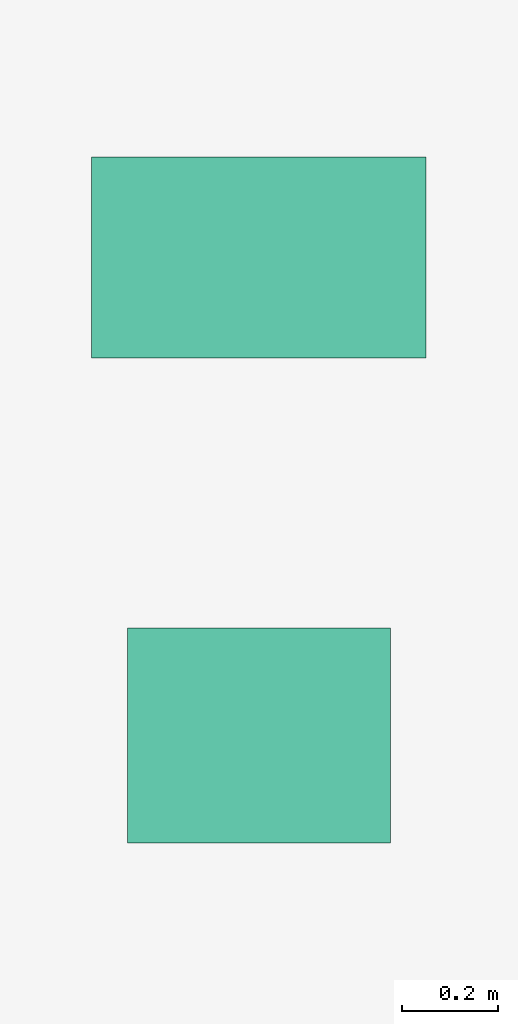
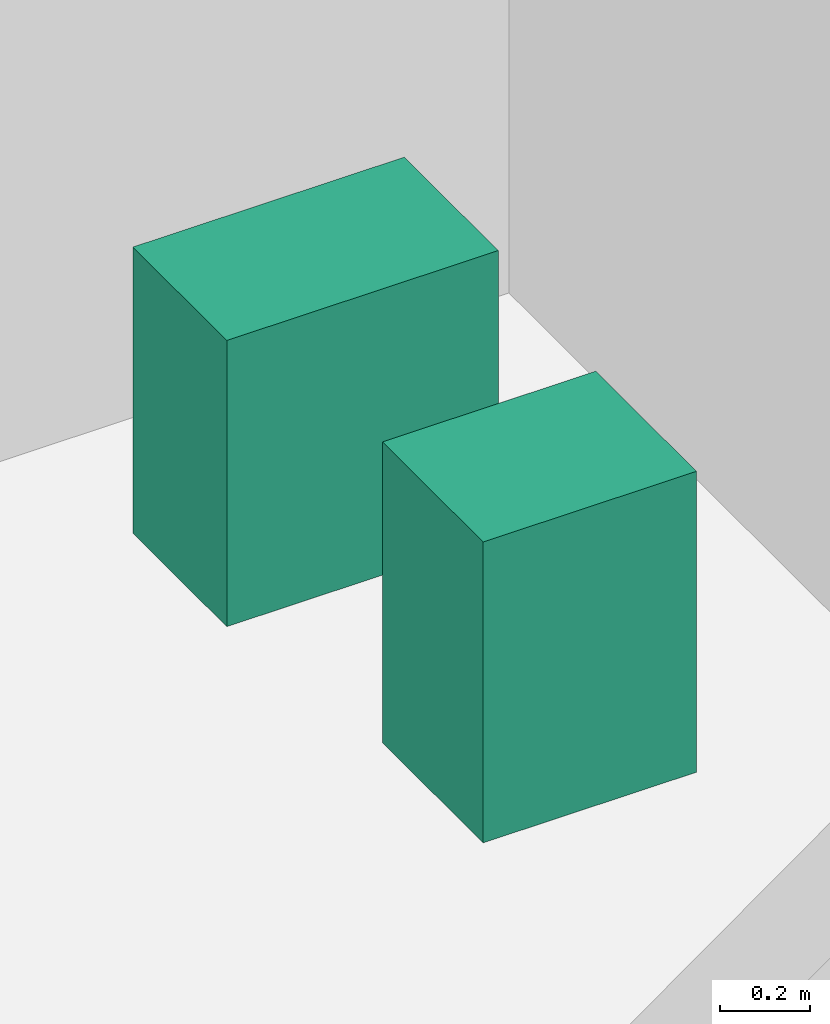
# One storey, part 29 of 29: 2 sanitary terminals.
"""IFC4 building model written with IfcOpenShell, lengths in metres."""

from ifc_helpers import new_model, si_unit, direction, frame, origin, origin_2d, place, context, subcontext, project, spatial, rectangle, extrude, source, transform, mapped, material, type_object, element, save


model = new_model("IFC4")

# Units and contexts
model_context = context("Model", 3, precision=1e-05, world=origin(), true_north=direction((0.0, 1.0)))
body_context = subcontext(model_context, "Body", "Model", "MODEL_VIEW")
ifc_project = project(units=[si_unit("LENGTHUNIT", "METRE"), si_unit("AREAUNIT", "SQUARE_METRE"), si_unit("VOLUMEUNIT", "CUBIC_METRE"), si_unit("PLANEANGLEUNIT", "RADIAN"), si_unit("MASSUNIT", "GRAM", prefix="KILO")], contexts=[model_context])

# Site, building, storey
site_placement = place(None, origin())
site = spatial("IfcSite", under=ifc_project, at=site_placement, CompositionType="ELEMENT")
building_placement = place(site_placement, origin())
building = spatial("IfcBuilding", under=site, at=building_placement, Name="Sumidabori Civic Tower", CompositionType="ELEMENT")
storey_placement = place(building_placement, frame((0.0, 0.0, 214.39990234375)))
storey = spatial("IfcBuildingStorey", under=building, at=storey_placement, Name="L55", CompositionType="ELEMENT", Elevation=214.39990234375)

# Sanitary terminals
ifc_material = material(Name="Vitreous Sanitary Porcelain")
sanitary_terminal_type_1 = type_object("IfcSanitaryTerminalType", Name="SN-WC-1", PredefinedType="TOILETPAN", material=ifc_material)
shared_shape_1 = source(origin(), body_context, "Body", "SweptSolid", [
    extrude(rectangle(XDim=0.699951171875, YDim=0.419921875, at=origin_2d()), origin(), (0.0, 0.0, 1.0), 0.780029296875),
])
sanitary_terminal_1_placement = place(storey_placement, frame((10.800048828125, 21.85009765625, 0.0), z_axis=(0.0, 0.0, 1.0), x_axis=(1.0, 0.0, 0.0)))
element("IfcSanitaryTerminal", 1, at=sanitary_terminal_1_placement, inside=storey, type_object=sanitary_terminal_type_1, Name="Accessible WC Pan L55", PredefinedType="TOILETPAN", context=body_context, shape_type="MappedRepresentation", body=[
    mapped(shared_shape_1, transform((0.0, 0.0, 0.0), x_axis=(1.0, 0.0, 0.0), y_axis=(0.0, 1.0, 0.0), z_axis=(0.0, 0.0, 1.0), scale=1.0)),
])
sanitary_terminal_type_2 = type_object("IfcSanitaryTerminalType", Name="SN-BAS-1", PredefinedType="WASHHANDBASIN", material=ifc_material)
shared_shape_2 = source(origin(), body_context, "Body", "SweptSolid", [
    extrude(rectangle(XDim=0.550048828125, YDim=0.449951171875, at=origin_2d()), origin(), (0.0, 0.0, 1.0), 0.820068359375),
])
sanitary_terminal_2_placement = place(storey_placement, frame((10.800048828125, 20.85009765625, 0.0), z_axis=(0.0, 0.0, 1.0), x_axis=(1.0, 0.0, 0.0)))
element("IfcSanitaryTerminal", 2, at=sanitary_terminal_2_placement, inside=storey, type_object=sanitary_terminal_type_2, Name="Accessible Basin L55", PredefinedType="WASHHANDBASIN", context=body_context, shape_type="MappedRepresentation", body=[
    mapped(shared_shape_2, transform((0.0, 0.0, 0.0), x_axis=(1.0, 0.0, 0.0), y_axis=(0.0, 1.0, 0.0), z_axis=(0.0, 0.0, 1.0), scale=1.0)),
])

save(model, "model.ifc")
